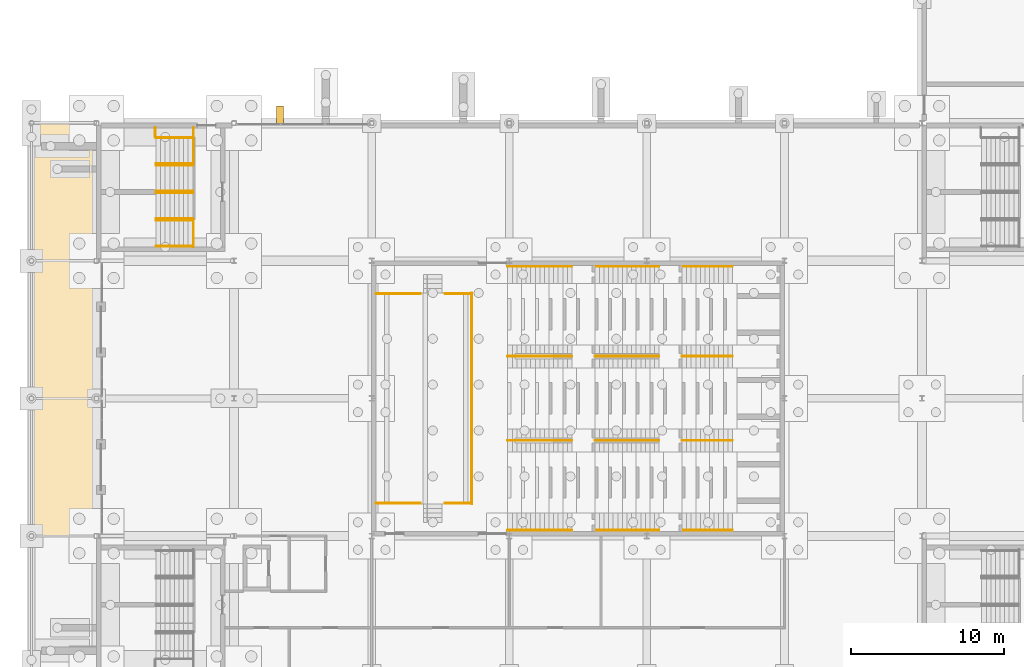
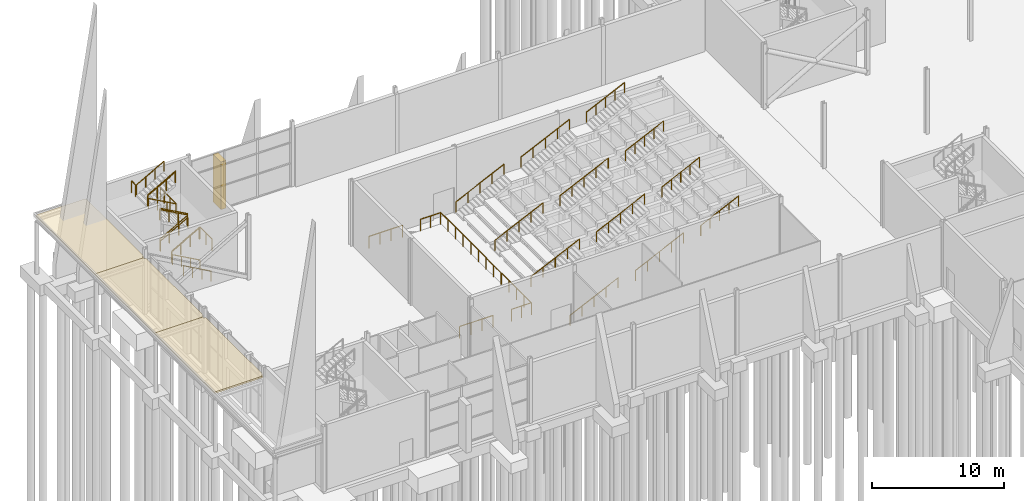
# One storey, part 134 of 139: 33 railings, 3 coverings, 1 shading device.
"""IFC4 building model written with IfcOpenShell, lengths in metres."""

from ifc_helpers import new_model, si_unit, direction, frame, origin, origin_2d, place, context, subcontext, project, spatial, polyline, rectangle, circle, outline, extrude, material, layer, layer_set, type_object, element, save


model = new_model("IFC4")

# Units and contexts
model_context = context("Model", 3, precision=1e-05, world=origin(), true_north=direction((0.0, 1.0)))
body_context = subcontext(model_context, "Body", "Model", "MODEL_VIEW")
ifc_project = project(units=[si_unit("LENGTHUNIT", "METRE"), si_unit("AREAUNIT", "SQUARE_METRE"), si_unit("VOLUMEUNIT", "CUBIC_METRE"), si_unit("PLANEANGLEUNIT", "RADIAN"), si_unit("MASSUNIT", "GRAM", prefix="KILO")], contexts=[model_context])

# Site, building, storey
site_placement = place(None, origin())
site = spatial("IfcSite", under=ifc_project, at=site_placement, CompositionType="ELEMENT")
building_placement = place(site_placement, origin())
building = spatial("IfcBuilding", under=site, at=building_placement, Name="Shorebreak Coast Museum", CompositionType="ELEMENT")
storey_placement = place(building_placement, origin())
storey = spatial("IfcBuildingStorey", under=building, at=storey_placement, Name="L00", CompositionType="ELEMENT", Elevation=0.0)

# Railings
ifc_material_1 = material(Name="Steel Grade 300", Category="steel")
railing_type_1 = type_object("IfcRailingType", Name="Aisle handrail 950", PredefinedType="HANDRAIL", material=ifc_material_1)
railing_1_placement = place(storey_placement, frame((26.89990234375, 63.3701171875, 0.142822265625)))
element("IfcRailing", 1, at=railing_1_placement, inside=storey, type_object=railing_type_1, Name="Handrail aisle 1 flight 1", PredefinedType="HANDRAIL", context=body_context, shape_type="SweptSolid", body=[
    extrude(circle(Radius=0.02490234375, at=origin_2d()), frame((0.0, 0.0, 0.9248046875), z_axis=(0.902868279141, 0.0, 0.429917283348), x_axis=(0.0, 1.0, 0.0)), (0.0, 0.0, 1.0), 4.652099609375),
    extrude(circle(Radius=0.02001953125, at=origin_2d()), origin(), (0.0, 0.0, 1.0), 0.89990234375),
    extrude(circle(Radius=0.02001953125, at=origin_2d()), frame((1.050048828125, 0.0, 0.5)), (0.0, 0.0, 1.0), 0.89990234375),
    extrude(circle(Radius=0.02001953125, at=origin_2d()), frame((2.10009765625, 0.0, 1.0)), (0.0, 0.0, 1.0), 0.89990234375),
    extrude(circle(Radius=0.02001953125, at=origin_2d()), frame((3.150146484375, 0.0, 1.5)), (0.0, 0.0, 1.0), 0.89990234375),
    extrude(circle(Radius=0.02001953125, at=origin_2d()), frame((4.2001953125, 0.0, 2.0)), (0.0, 0.0, 1.0), 0.89990234375),
])
railing_2_placement = place(storey_placement, frame((32.60009765625, 63.3701171875, 2.28564453125)))
element("IfcRailing", 2, at=railing_2_placement, inside=storey, type_object=railing_type_1, Name="Handrail aisle 1 flight 2", PredefinedType="HANDRAIL", context=body_context, shape_type="SweptSolid", body=[
    extrude(circle(Radius=0.02490234375, at=origin_2d()), frame((0.0, 0.0, 0.9248046875), z_axis=(0.902858578607, 0.0, 0.429937654825), x_axis=(0.0, 1.0, 0.0)), (0.0, 0.0, 1.0), 4.65185546875),
    extrude(circle(Radius=0.02001953125, at=origin_2d()), origin(), (0.0, 0.0, 1.0), 0.89990234375),
    extrude(circle(Radius=0.02001953125, at=origin_2d()), frame((1.050048828125, 0.0, 0.5)), (0.0, 0.0, 1.0), 0.89990234375),
    extrude(circle(Radius=0.02001953125, at=origin_2d()), frame((2.10009765625, 0.0, 1.0)), (0.0, 0.0, 1.0), 0.89990234375),
    extrude(circle(Radius=0.02001953125, at=origin_2d()), frame((3.14990234375, 0.0, 1.5)), (0.0, 0.0, 1.0), 0.89990234375),
    extrude(circle(Radius=0.02001953125, at=origin_2d()), frame((4.199951171875, 0.0, 2.0)), (0.0, 0.0, 1.0), 0.89990234375),
])
railing_3_placement = place(storey_placement, frame((38.300048828125, 63.3701171875, 4.4287109375)))
element("IfcRailing", 3, at=railing_3_placement, inside=storey, type_object=railing_type_1, Name="Handrail aisle 1 flight 3", PredefinedType="HANDRAIL", context=body_context, shape_type="SweptSolid", body=[
    extrude(circle(Radius=0.02490234375, at=origin_2d()), frame((0.0, 0.0, 0.9248046875), z_axis=(0.902877803494, 0.0, 0.429897280705), x_axis=(0.0, 1.0, 0.0)), (0.0, 0.0, 1.0), 3.655029296875),
    extrude(circle(Radius=0.02001953125, at=origin_2d()), origin(), (0.0, 0.0, 1.0), 0.89990234375),
    extrude(circle(Radius=0.02001953125, at=origin_2d()), frame((0.824951171875, 0.0, 0.392822265625)), (0.0, 0.0, 1.0), 0.89990234375),
    extrude(circle(Radius=0.02001953125, at=origin_2d()), frame((1.64990234375, 0.0, 0.78564453125)), (0.0, 0.0, 1.0), 0.89990234375),
    extrude(circle(Radius=0.02001953125, at=origin_2d()), frame((2.47509765625, 0.0, 1.178466796875)), (0.0, 0.0, 1.0), 0.89990234375),
    extrude(circle(Radius=0.02001953125, at=origin_2d()), frame((3.300048828125, 0.0, 1.5712890625)), (0.0, 0.0, 1.0), 0.89990234375),
])
railing_4_placement = place(storey_placement, frame((26.89990234375, 69.25, 0.142822265625)))
element("IfcRailing", 4, at=railing_4_placement, inside=storey, type_object=railing_type_1, Name="Handrail aisle 2 flight 1", PredefinedType="HANDRAIL", context=body_context, shape_type="SweptSolid", body=[
    extrude(circle(Radius=0.02490234375, at=origin_2d()), frame((0.0, 0.0, 0.9248046875), z_axis=(0.902868279141, 0.0, 0.429917283348), x_axis=(0.0, 1.0, 0.0)), (0.0, 0.0, 1.0), 4.652099609375),
    extrude(circle(Radius=0.02001953125, at=origin_2d()), origin(), (0.0, 0.0, 1.0), 0.89990234375),
    extrude(circle(Radius=0.02001953125, at=origin_2d()), frame((1.050048828125, 0.0, 0.5)), (0.0, 0.0, 1.0), 0.89990234375),
    extrude(circle(Radius=0.02001953125, at=origin_2d()), frame((2.10009765625, 0.0, 1.0)), (0.0, 0.0, 1.0), 0.89990234375),
    extrude(circle(Radius=0.02001953125, at=origin_2d()), frame((3.150146484375, 0.0, 1.5)), (0.0, 0.0, 1.0), 0.89990234375),
    extrude(circle(Radius=0.02001953125, at=origin_2d()), frame((4.2001953125, 0.0, 2.0)), (0.0, 0.0, 1.0), 0.89990234375),
])
railing_5_placement = place(storey_placement, frame((32.60009765625, 69.25, 2.28564453125)))
element("IfcRailing", 5, at=railing_5_placement, inside=storey, type_object=railing_type_1, Name="Handrail aisle 2 flight 2", PredefinedType="HANDRAIL", context=body_context, shape_type="SweptSolid", body=[
    extrude(circle(Radius=0.02490234375, at=origin_2d()), frame((0.0, 0.0, 0.9248046875), z_axis=(0.902858578607, 0.0, 0.429937654825), x_axis=(0.0, 1.0, 0.0)), (0.0, 0.0, 1.0), 4.65185546875),
    extrude(circle(Radius=0.02001953125, at=origin_2d()), origin(), (0.0, 0.0, 1.0), 0.89990234375),
    extrude(circle(Radius=0.02001953125, at=origin_2d()), frame((1.050048828125, 0.0, 0.5)), (0.0, 0.0, 1.0), 0.89990234375),
    extrude(circle(Radius=0.02001953125, at=origin_2d()), frame((2.10009765625, 0.0, 1.0)), (0.0, 0.0, 1.0), 0.89990234375),
    extrude(circle(Radius=0.02001953125, at=origin_2d()), frame((3.14990234375, 0.0, 1.5)), (0.0, 0.0, 1.0), 0.89990234375),
    extrude(circle(Radius=0.02001953125, at=origin_2d()), frame((4.199951171875, 0.0, 2.0)), (0.0, 0.0, 1.0), 0.89990234375),
])
railing_6_placement = place(storey_placement, frame((38.300048828125, 69.25, 4.4287109375)))
element("IfcRailing", 6, at=railing_6_placement, inside=storey, type_object=railing_type_1, Name="Handrail aisle 2 flight 3", PredefinedType="HANDRAIL", context=body_context, shape_type="SweptSolid", body=[
    extrude(circle(Radius=0.02490234375, at=origin_2d()), frame((0.0, 0.0, 0.9248046875), z_axis=(0.902877803494, 0.0, 0.429897280705), x_axis=(0.0, 1.0, 0.0)), (0.0, 0.0, 1.0), 3.655029296875),
    extrude(circle(Radius=0.02001953125, at=origin_2d()), origin(), (0.0, 0.0, 1.0), 0.89990234375),
    extrude(circle(Radius=0.02001953125, at=origin_2d()), frame((0.824951171875, 0.0, 0.392822265625)), (0.0, 0.0, 1.0), 0.89990234375),
    extrude(circle(Radius=0.02001953125, at=origin_2d()), frame((1.64990234375, 0.0, 0.78564453125)), (0.0, 0.0, 1.0), 0.89990234375),
    extrude(circle(Radius=0.02001953125, at=origin_2d()), frame((2.47509765625, 0.0, 1.178466796875)), (0.0, 0.0, 1.0), 0.89990234375),
    extrude(circle(Radius=0.02001953125, at=origin_2d()), frame((3.300048828125, 0.0, 1.5712890625)), (0.0, 0.0, 1.0), 0.89990234375),
])
railing_7_placement = place(storey_placement, frame((26.89990234375, 74.75, 0.142822265625)))
element("IfcRailing", 7, at=railing_7_placement, inside=storey, type_object=railing_type_1, Name="Handrail aisle 3 flight 1", PredefinedType="HANDRAIL", context=body_context, shape_type="SweptSolid", body=[
    extrude(circle(Radius=0.02490234375, at=origin_2d()), frame((0.0, 0.0, 0.9248046875), z_axis=(0.902868279141, 0.0, 0.429917283348), x_axis=(0.0, 1.0, 0.0)), (0.0, 0.0, 1.0), 4.652099609375),
    extrude(circle(Radius=0.02001953125, at=origin_2d()), origin(), (0.0, 0.0, 1.0), 0.89990234375),
    extrude(circle(Radius=0.02001953125, at=origin_2d()), frame((1.050048828125, 0.0, 0.5)), (0.0, 0.0, 1.0), 0.89990234375),
    extrude(circle(Radius=0.02001953125, at=origin_2d()), frame((2.10009765625, 0.0, 1.0)), (0.0, 0.0, 1.0), 0.89990234375),
    extrude(circle(Radius=0.02001953125, at=origin_2d()), frame((3.150146484375, 0.0, 1.5)), (0.0, 0.0, 1.0), 0.89990234375),
    extrude(circle(Radius=0.02001953125, at=origin_2d()), frame((4.2001953125, 0.0, 2.0)), (0.0, 0.0, 1.0), 0.89990234375),
])
railing_8_placement = place(storey_placement, frame((32.60009765625, 74.75, 2.28564453125)))
element("IfcRailing", 8, at=railing_8_placement, inside=storey, type_object=railing_type_1, Name="Handrail aisle 3 flight 2", PredefinedType="HANDRAIL", context=body_context, shape_type="SweptSolid", body=[
    extrude(circle(Radius=0.02490234375, at=origin_2d()), frame((0.0, 0.0, 0.9248046875), z_axis=(0.902858578607, 0.0, 0.429937654825), x_axis=(0.0, 1.0, 0.0)), (0.0, 0.0, 1.0), 4.65185546875),
    extrude(circle(Radius=0.02001953125, at=origin_2d()), origin(), (0.0, 0.0, 1.0), 0.89990234375),
    extrude(circle(Radius=0.02001953125, at=origin_2d()), frame((1.050048828125, 0.0, 0.5)), (0.0, 0.0, 1.0), 0.89990234375),
    extrude(circle(Radius=0.02001953125, at=origin_2d()), frame((2.10009765625, 0.0, 1.0)), (0.0, 0.0, 1.0), 0.89990234375),
    extrude(circle(Radius=0.02001953125, at=origin_2d()), frame((3.14990234375, 0.0, 1.5)), (0.0, 0.0, 1.0), 0.89990234375),
    extrude(circle(Radius=0.02001953125, at=origin_2d()), frame((4.199951171875, 0.0, 2.0)), (0.0, 0.0, 1.0), 0.89990234375),
])
railing_9_placement = place(storey_placement, frame((38.300048828125, 74.75, 4.4287109375)))
element("IfcRailing", 9, at=railing_9_placement, inside=storey, type_object=railing_type_1, Name="Handrail aisle 3 flight 3", PredefinedType="HANDRAIL", context=body_context, shape_type="SweptSolid", body=[
    extrude(circle(Radius=0.02490234375, at=origin_2d()), frame((0.0, 0.0, 0.9248046875), z_axis=(0.902877803494, 0.0, 0.429897280705), x_axis=(0.0, 1.0, 0.0)), (0.0, 0.0, 1.0), 3.655029296875),
    extrude(circle(Radius=0.02001953125, at=origin_2d()), origin(), (0.0, 0.0, 1.0), 0.89990234375),
    extrude(circle(Radius=0.02001953125, at=origin_2d()), frame((0.824951171875, 0.0, 0.392822265625)), (0.0, 0.0, 1.0), 0.89990234375),
    extrude(circle(Radius=0.02001953125, at=origin_2d()), frame((1.64990234375, 0.0, 0.78564453125)), (0.0, 0.0, 1.0), 0.89990234375),
    extrude(circle(Radius=0.02001953125, at=origin_2d()), frame((2.47509765625, 0.0, 1.178466796875)), (0.0, 0.0, 1.0), 0.89990234375),
    extrude(circle(Radius=0.02001953125, at=origin_2d()), frame((3.300048828125, 0.0, 1.5712890625)), (0.0, 0.0, 1.0), 0.89990234375),
])
railing_10_placement = place(storey_placement, frame((26.89990234375, 80.6298828125, 0.142822265625)))
element("IfcRailing", 10, at=railing_10_placement, inside=storey, type_object=railing_type_1, Name="Handrail aisle 4 flight 1", PredefinedType="HANDRAIL", context=body_context, shape_type="SweptSolid", body=[
    extrude(circle(Radius=0.02490234375, at=origin_2d()), frame((0.0, 0.0, 0.9248046875), z_axis=(0.902868279141, 0.0, 0.429917283348), x_axis=(0.0, 1.0, 0.0)), (0.0, 0.0, 1.0), 4.652099609375),
    extrude(circle(Radius=0.02001953125, at=origin_2d()), origin(), (0.0, 0.0, 1.0), 0.89990234375),
    extrude(circle(Radius=0.02001953125, at=origin_2d()), frame((1.050048828125, 0.0, 0.5)), (0.0, 0.0, 1.0), 0.89990234375),
    extrude(circle(Radius=0.02001953125, at=origin_2d()), frame((2.10009765625, 0.0, 1.0)), (0.0, 0.0, 1.0), 0.89990234375),
    extrude(circle(Radius=0.02001953125, at=origin_2d()), frame((3.150146484375, 0.0, 1.5)), (0.0, 0.0, 1.0), 0.89990234375),
    extrude(circle(Radius=0.02001953125, at=origin_2d()), frame((4.2001953125, 0.0, 2.0)), (0.0, 0.0, 1.0), 0.89990234375),
])
railing_11_placement = place(storey_placement, frame((32.60009765625, 80.6298828125, 2.28564453125)))
element("IfcRailing", 11, at=railing_11_placement, inside=storey, type_object=railing_type_1, Name="Handrail aisle 4 flight 2", PredefinedType="HANDRAIL", context=body_context, shape_type="SweptSolid", body=[
    extrude(circle(Radius=0.02490234375, at=origin_2d()), frame((0.0, 0.0, 0.9248046875), z_axis=(0.902858578607, 0.0, 0.429937654825), x_axis=(0.0, 1.0, 0.0)), (0.0, 0.0, 1.0), 4.65185546875),
    extrude(circle(Radius=0.02001953125, at=origin_2d()), origin(), (0.0, 0.0, 1.0), 0.89990234375),
    extrude(circle(Radius=0.02001953125, at=origin_2d()), frame((1.050048828125, 0.0, 0.5)), (0.0, 0.0, 1.0), 0.89990234375),
    extrude(circle(Radius=0.02001953125, at=origin_2d()), frame((2.10009765625, 0.0, 1.0)), (0.0, 0.0, 1.0), 0.89990234375),
    extrude(circle(Radius=0.02001953125, at=origin_2d()), frame((3.14990234375, 0.0, 1.5)), (0.0, 0.0, 1.0), 0.89990234375),
    extrude(circle(Radius=0.02001953125, at=origin_2d()), frame((4.199951171875, 0.0, 2.0)), (0.0, 0.0, 1.0), 0.89990234375),
])
railing_12_placement = place(storey_placement, frame((38.300048828125, 80.6298828125, 4.4287109375)))
element("IfcRailing", 12, at=railing_12_placement, inside=storey, type_object=railing_type_1, Name="Handrail aisle 4 flight 3", PredefinedType="HANDRAIL", context=body_context, shape_type="SweptSolid", body=[
    extrude(circle(Radius=0.02490234375, at=origin_2d()), frame((0.0, 0.0, 0.9248046875), z_axis=(0.902877803494, 0.0, 0.429897280705), x_axis=(0.0, 1.0, 0.0)), (0.0, 0.0, 1.0), 3.655029296875),
    extrude(circle(Radius=0.02001953125, at=origin_2d()), origin(), (0.0, 0.0, 1.0), 0.89990234375),
    extrude(circle(Radius=0.02001953125, at=origin_2d()), frame((0.824951171875, 0.0, 0.392822265625)), (0.0, 0.0, 1.0), 0.89990234375),
    extrude(circle(Radius=0.02001953125, at=origin_2d()), frame((1.64990234375, 0.0, 0.78564453125)), (0.0, 0.0, 1.0), 0.89990234375),
    extrude(circle(Radius=0.02001953125, at=origin_2d()), frame((2.47509765625, 0.0, 1.178466796875)), (0.0, 0.0, 1.0), 0.89990234375),
    extrude(circle(Radius=0.02001953125, at=origin_2d()), frame((3.300048828125, 0.0, 1.5712890625)), (0.0, 0.0, 1.0), 0.89990234375),
])
ifc_material_2 = material(Name="Steel Grade 300", Category="steel")
railing_type_2 = type_object("IfcRailingType", Name="Auditorium guard 1100", PredefinedType="GUARDRAIL", material=ifc_material_2)
railing_13_placement = place(storey_placement, frame((24.550048828125, 65.10009765625, 0.89990234375)))
element("IfcRailing", 13, at=railing_13_placement, inside=storey, type_object=railing_type_2, Name="Guard stage front", PredefinedType="GUARDRAIL", context=body_context, shape_type="SweptSolid", body=[
    extrude(circle(Radius=0.02490234375, at=origin_2d()), frame((0.0, 0.0, 1.0751953125), z_axis=(0.0, 1.0, 0.0), x_axis=(-1.0, 0.0, 0.0)), (0.0, 0.0, 1.0), 13.7998046875),
    extrude(circle(Radius=0.02001953125, at=origin_2d()), origin(), (0.0, 0.0, 1.0), 1.050048828125),
    extrude(circle(Radius=0.02001953125, at=origin_2d()), frame((0.0, 1.14990234375, 0.0)), (0.0, 0.0, 1.0), 1.050048828125),
    extrude(circle(Radius=0.02001953125, at=origin_2d()), frame((0.0, 2.300048828125, 0.0)), (0.0, 0.0, 1.0), 1.050048828125),
    extrude(circle(Radius=0.02001953125, at=origin_2d()), frame((0.0, 3.449951171875, 0.0)), (0.0, 0.0, 1.0), 1.050048828125),
    extrude(circle(Radius=0.02001953125, at=origin_2d()), frame((0.0, 4.599853515625, 0.0)), (0.0, 0.0, 1.0), 1.050048828125),
    extrude(circle(Radius=0.02001953125, at=origin_2d()), frame((0.0, 5.75, 0.0)), (0.0, 0.0, 1.0), 1.050048828125),
    extrude(circle(Radius=0.02001953125, at=origin_2d()), frame((0.0, 6.89990234375, 0.0)), (0.0, 0.0, 1.0), 1.050048828125),
    extrude(circle(Radius=0.02001953125, at=origin_2d()), frame((0.0, 8.0498046875, 0.0)), (0.0, 0.0, 1.0), 1.050048828125),
    extrude(circle(Radius=0.02001953125, at=origin_2d()), frame((0.0, 9.199951171875, 0.0)), (0.0, 0.0, 1.0), 1.050048828125),
    extrude(circle(Radius=0.02001953125, at=origin_2d()), frame((0.0, 10.349853515625, 0.0)), (0.0, 0.0, 1.0), 1.050048828125),
    extrude(circle(Radius=0.02001953125, at=origin_2d()), frame((0.0, 11.499755859375, 0.0)), (0.0, 0.0, 1.0), 1.050048828125),
    extrude(circle(Radius=0.02001953125, at=origin_2d()), frame((0.0, 12.64990234375, 0.0)), (0.0, 0.0, 1.0), 1.050048828125),
    extrude(circle(Radius=0.02001953125, at=origin_2d()), frame((0.0, 13.7998046875, 0.0)), (0.0, 0.0, 1.0), 1.050048828125),
])
railing_14_placement = place(storey_placement, frame((18.300048828125, 65.14990234375, 0.89990234375)))
element("IfcRailing", 14, at=railing_14_placement, inside=storey, type_object=railing_type_2, Name="Guard stage side S", PredefinedType="GUARDRAIL", context=body_context, shape_type="SweptSolid", body=[
    extrude(circle(Radius=0.02490234375, at=origin_2d()), frame((0.0, 0.0, 1.0751953125), z_axis=(1.0, 0.0, 0.0), x_axis=(0.0, 1.0, 0.0)), (0.0, 0.0, 1.0), 2.89990234375),
    extrude(circle(Radius=0.02001953125, at=origin_2d()), origin(), (0.0, 0.0, 1.0), 1.050048828125),
    extrude(circle(Radius=0.02001953125, at=origin_2d()), frame((0.966552734375, 0.0, 0.0)), (0.0, 0.0, 1.0), 1.050048828125),
    extrude(circle(Radius=0.02001953125, at=origin_2d()), frame((1.933349609375, 0.0, 0.0)), (0.0, 0.0, 1.0), 1.050048828125),
    extrude(circle(Radius=0.02001953125, at=origin_2d()), frame((2.89990234375, 0.0, 0.0)), (0.0, 0.0, 1.0), 1.050048828125),
])
railing_15_placement = place(storey_placement, frame((22.800048828125, 65.14990234375, 0.89990234375)))
element("IfcRailing", 15, at=railing_15_placement, inside=storey, type_object=railing_type_2, Name="Guard stage side S", PredefinedType="GUARDRAIL", context=body_context, shape_type="SweptSolid", body=[
    extrude(circle(Radius=0.02490234375, at=origin_2d()), frame((0.0, 0.0, 1.0751953125), z_axis=(1.0, 0.0, 0.0), x_axis=(0.0, 1.0, 0.0)), (0.0, 0.0, 1.0), 1.75),
    extrude(circle(Radius=0.02001953125, at=origin_2d()), origin(), (0.0, 0.0, 1.0), 1.050048828125),
    extrude(circle(Radius=0.02001953125, at=origin_2d()), frame((0.875, 0.0, 0.0)), (0.0, 0.0, 1.0), 1.050048828125),
    extrude(circle(Radius=0.02001953125, at=origin_2d()), frame((1.75, 0.0, 0.0)), (0.0, 0.0, 1.0), 1.050048828125),
])
railing_16_placement = place(storey_placement, frame((18.300048828125, 78.85009765625, 0.89990234375)))
element("IfcRailing", 16, at=railing_16_placement, inside=storey, type_object=railing_type_2, Name="Guard stage side N", PredefinedType="GUARDRAIL", context=body_context, shape_type="SweptSolid", body=[
    extrude(circle(Radius=0.02490234375, at=origin_2d()), frame((0.0, 0.0, 1.0751953125), z_axis=(1.0, 0.0, 0.0), x_axis=(0.0, 1.0, 0.0)), (0.0, 0.0, 1.0), 2.89990234375),
    extrude(circle(Radius=0.02001953125, at=origin_2d()), origin(), (0.0, 0.0, 1.0), 1.050048828125),
    extrude(circle(Radius=0.02001953125, at=origin_2d()), frame((0.966552734375, 0.0, 0.0)), (0.0, 0.0, 1.0), 1.050048828125),
    extrude(circle(Radius=0.02001953125, at=origin_2d()), frame((1.933349609375, 0.0, 0.0)), (0.0, 0.0, 1.0), 1.050048828125),
    extrude(circle(Radius=0.02001953125, at=origin_2d()), frame((2.89990234375, 0.0, 0.0)), (0.0, 0.0, 1.0), 1.050048828125),
])
railing_17_placement = place(storey_placement, frame((22.800048828125, 78.85009765625, 0.89990234375)))
element("IfcRailing", 17, at=railing_17_placement, inside=storey, type_object=railing_type_2, Name="Guard stage side N", PredefinedType="GUARDRAIL", context=body_context, shape_type="SweptSolid", body=[
    extrude(circle(Radius=0.02490234375, at=origin_2d()), frame((0.0, 0.0, 1.0751953125), z_axis=(1.0, 0.0, 0.0), x_axis=(0.0, 1.0, 0.0)), (0.0, 0.0, 1.0), 1.75),
    extrude(circle(Radius=0.02001953125, at=origin_2d()), origin(), (0.0, 0.0, 1.0), 1.050048828125),
    extrude(circle(Radius=0.02001953125, at=origin_2d()), frame((0.875, 0.0, 0.0)), (0.0, 0.0, 1.0), 1.050048828125),
    extrude(circle(Radius=0.02001953125, at=origin_2d()), frame((1.75, 0.0, 0.0)), (0.0, 0.0, 1.0), 1.050048828125),
])

# Coverings
ifc_material_3 = material(Name="Growing medium")
ifc_layer_1 = layer(ifc_material_3, 0.14990234375)
ifc_layer_set_1 = layer_set([ifc_layer_1], Name="Growing medium")
covering_type = type_object("IfcCoveringType", Name="Green roof planting 150", PredefinedType="ROOFING", material=ifc_layer_set_1)
covering_1_placement = place(storey_placement, frame((0.0, 0.0, 5.0)))
element("IfcCovering", 18, at=covering_1_placement, inside=storey, type_object=covering_type, Name="Green roof planting arcade west 2", PredefinedType="ROOFING", context=body_context, shape_type="SweptSolid", body=[
    extrude(outline(polyline([(-4.35009765625, 63.0), (-4.35009765625, 72.0), (-0.14990234375, 72.0), (-0.14990234375, 71.85009765625), (0.0, 71.85009765625), (0.0, 63.14990234375), (-0.14990234375, 63.14990234375), (-0.14990234375, 63.0), (-4.35009765625, 63.0)])), origin(), (0.0, 0.0, 1.0), 0.14990234375),
])
covering_2_placement = place(storey_placement, frame((0.0, 0.0, 5.0)))
element("IfcCovering", 19, at=covering_2_placement, inside=storey, type_object=covering_type, Name="Green roof planting arcade west 3", PredefinedType="ROOFING", context=body_context, shape_type="SweptSolid", body=[
    extrude(outline(polyline([(-4.35009765625, 72.0), (-4.35009765625, 81.0), (-0.14990234375, 81.0), (-0.14990234375, 80.85009765625), (0.0, 80.85009765625), (0.0, 72.14990234375), (-0.14990234375, 72.14990234375), (-0.14990234375, 72.0), (-4.35009765625, 72.0)])), origin(), (0.0, 0.0, 1.0), 0.14990234375),
])
covering_3_placement = place(storey_placement, frame((0.0, 0.0, 5.0)))
element("IfcCovering", 20, at=covering_3_placement, inside=storey, type_object=covering_type, Name="Green roof planting arcade west 4", PredefinedType="ROOFING", context=body_context, shape_type="SweptSolid", body=[
    extrude(outline(polyline([(-4.35009765625, 81.0), (-4.35009765625, 89.949951171875), (-0.14990234375, 89.949951171875), (-0.14990234375, 89.85009765625), (0.0, 89.85009765625), (0.0, 81.14990234375), (-0.14990234375, 81.14990234375), (-0.14990234375, 81.0), (-4.35009765625, 81.0)])), origin(), (0.0, 0.0, 1.0), 0.14990234375),
])

# Shading device
ifc_material_4 = material(Name="Precast concrete C40/50", Category="concrete")
ifc_layer_2 = layer(ifc_material_4, 0.449951171875)
ifc_layer_set_2 = layer_set([ifc_layer_2], Name="Precast concrete C40/50")
shading_device_type = type_object("IfcShadingDeviceType", Name="Precast blade 450 x 1200", PredefinedType="USERDEFINED", material=ifc_layer_set_2)
shading_device_placement = place(storey_placement, frame((12.0, 90.52490234375, 0.0), z_axis=(0.0, 0.0, 1.0), x_axis=(1.0, 0.0, 0.0)))
element("IfcShadingDevice", 21, at=shading_device_placement, inside=storey, type_object=shading_device_type, Name="Precast blade N1", ObjectType="FIN", PredefinedType="USERDEFINED", context=body_context, shape_type="SweptSolid", body=[
    extrude(rectangle(XDim=0.449951171875, YDim=1.199951171875, at=origin_2d()), origin(), (0.0, 0.0, 1.0), 4.39990234375),
])

# Railings
ifc_material_5 = material(Name="Steel Grade 300", Category="steel")
railing_type_3 = type_object("IfcRailingType", Name="Stair guard 1100", PredefinedType="GUARDRAIL", material=ifc_material_5)
for number, where, name in (
    (22, (6.35009765625, 81.89990234375, 3.0), "Guard ST06 L00 landing mid1"),
    (23, (6.35009765625, 87.300048828125, 3.0), "Guard ST06 L00 landing mid1"),
):
    element("IfcRailing", number, at=place(storey_placement, frame(where)), inside=storey, type_object=railing_type_3, Name=name, PredefinedType="GUARDRAIL", context=body_context, shape_type="SweptSolid", body=[
        extrude(circle(Radius=0.02490234375, at=origin_2d()), frame((0.0, 0.0, 1.0751953125), z_axis=(0.0, 1.0, 0.0), x_axis=(-1.0, 0.0, 0.0)), (0.0, 0.0, 1.0), 1.800048828125),
        extrude(circle(Radius=0.02001953125, at=origin_2d()), origin(), (0.0, 0.0, 1.0), 1.050048828125),
        extrude(circle(Radius=0.02001953125, at=origin_2d()), frame((0.0, 0.89990234375, 0.0)), (0.0, 0.0, 1.0), 1.050048828125),
        extrude(circle(Radius=0.02001953125, at=origin_2d()), frame((0.0, 1.800048828125, 0.0)), (0.0, 0.0, 1.0), 1.050048828125),
    ])
for number, where, name in (
    (24, (6.35009765625, 89.10009765625, 3.0), "Guard ST06 L00 landing strip"),
    (25, (3.85009765625, 89.10009765625, 4.5), "Guard ST06 L00 landing strip"),
):
    element("IfcRailing", number, at=place(storey_placement, frame(where)), inside=storey, type_object=railing_type_3, Name=name, PredefinedType="GUARDRAIL", context=body_context, shape_type="SweptSolid", body=[
        extrude(circle(Radius=0.02490234375, at=origin_2d()), frame((0.0, 0.0, 1.0751953125), z_axis=(0.0, 1.0, 0.0), x_axis=(-1.0, 0.0, 0.0)), (0.0, 0.0, 1.0), 0.599853515625),
        extrude(circle(Radius=0.02001953125, at=origin_2d()), origin(), (0.0, 0.0, 1.0), 1.050048828125),
        extrude(circle(Radius=0.02001953125, at=origin_2d()), frame((0.0, 0.599853515625, 0.0)), (0.0, 0.0, 1.0), 1.050048828125),
    ])
for number, where, name in (
    (26, (3.89990234375, 83.699951171875, 1.666748046875), "Guard ST06-L00 well 1"),
    (27, (3.89990234375, 87.300048828125, 4.666748046875), "Guard ST06-L00 well 2"),
    (28, (3.89990234375, 85.5, 1.666748046875), "Guard ST06-L00 side 1"),
):
    element("IfcRailing", number, at=place(storey_placement, frame(where)), inside=storey, type_object=railing_type_3, Name=name, PredefinedType="GUARDRAIL", context=body_context, shape_type="SweptSolid", body=[
        extrude(circle(Radius=0.02490234375, at=origin_2d()), frame((0.0, 0.0, 1.0751953125), z_axis=(0.874182441271, 0.0, 0.485597631145), x_axis=(0.0, 1.0, 0.0)), (0.0, 0.0, 1.0), 2.74560546875),
        extrude(circle(Radius=0.02001953125, at=origin_2d()), origin(), (0.0, 0.0, 1.0), 1.050048828125),
        extrude(circle(Radius=0.02001953125, at=origin_2d()), frame((0.800048828125, 0.0, 0.4443359375)), (0.0, 0.0, 1.0), 1.050048828125),
        extrude(circle(Radius=0.02001953125, at=origin_2d()), frame((1.60009765625, 0.0, 0.888916015625)), (0.0, 0.0, 1.0), 1.050048828125),
        extrude(circle(Radius=0.02001953125, at=origin_2d()), frame((2.400146484375, 0.0, 1.333251953125)), (0.0, 0.0, 1.0), 1.050048828125),
    ])
railing_18_placement = place(storey_placement, frame((6.300048828125, 85.5, 3.166748046875)))
element("IfcRailing", 29, at=railing_18_placement, inside=storey, type_object=railing_type_3, Name="Guard ST06-L00 side 2", PredefinedType="GUARDRAIL", context=body_context, shape_type="SweptSolid", body=[
    extrude(circle(Radius=0.02490234375, at=origin_2d()), frame((0.0, 0.0, 1.0751953125), z_axis=(-0.874182441271, 0.0, 0.485597631145), x_axis=(0.0, -1.0, 0.0)), (0.0, 0.0, 1.0), 2.74560546875),
    extrude(circle(Radius=0.02001953125, at=origin_2d()), origin(), (0.0, 0.0, 1.0), 1.050048828125),
    extrude(circle(Radius=0.02001953125, at=origin_2d()), frame((-0.800048828125, 0.0, 0.4443359375)), (0.0, 0.0, 1.0), 1.050048828125),
    extrude(circle(Radius=0.02001953125, at=origin_2d()), frame((-1.60009765625, 0.0, 0.888916015625)), (0.0, 0.0, 1.0), 1.050048828125),
    extrude(circle(Radius=0.02001953125, at=origin_2d()), frame((-2.400146484375, 0.0, 1.333251953125)), (0.0, 0.0, 1.0), 1.050048828125),
])
ifc_material_6 = material(Name="Steel Grade 300", Category="steel")
railing_type_4 = type_object("IfcRailingType", Name="Stair handrail 950", PredefinedType="HANDRAIL", material=ifc_material_6)
for number, where, name in (
    (30, (6.300048828125, 81.9599609375, 0.166748046875), "Handrail ST06-L00 flight 1a"),
    (31, (6.300048828125, 83.639892578125, 0.166748046875), "Handrail ST06-L00 flight 1b"),
):
    element("IfcRailing", number, at=place(storey_placement, frame(where)), inside=storey, type_object=railing_type_4, Name=name, PredefinedType="HANDRAIL", context=body_context, shape_type="SweptSolid", body=[
        extrude(circle(Radius=0.02490234375, at=origin_2d()), frame((0.0, 0.0, 0.9248046875), z_axis=(-0.874182441271, 0.0, 0.485597631145), x_axis=(0.0, -1.0, 0.0)), (0.0, 0.0, 1.0), 2.74560546875),
        extrude(circle(Radius=0.02001953125, at=origin_2d()), origin(), (0.0, 0.0, 1.0), 0.89990234375),
        extrude(circle(Radius=0.02001953125, at=origin_2d()), frame((-0.800048828125, 0.0, 0.4443359375)), (0.0, 0.0, 1.0), 0.89990234375),
        extrude(circle(Radius=0.02001953125, at=origin_2d()), frame((-1.60009765625, 0.0, 0.888916015625)), (0.0, 0.0, 1.0), 0.89990234375),
        extrude(circle(Radius=0.02001953125, at=origin_2d()), frame((-2.400146484375, 0.0, 1.333251953125)), (0.0, 0.0, 1.0), 0.89990234375),
    ])
for number, where, name in (
    (32, (3.89990234375, 83.760009765625, 1.666748046875), "Handrail ST06-L00 flight 2a"),
    (33, (3.89990234375, 85.43994140625, 1.666748046875), "Handrail ST06-L00 flight 2b"),
):
    element("IfcRailing", number, at=place(storey_placement, frame(where)), inside=storey, type_object=railing_type_4, Name=name, PredefinedType="HANDRAIL", context=body_context, shape_type="SweptSolid", body=[
        extrude(circle(Radius=0.02490234375, at=origin_2d()), frame((0.0, 0.0, 0.9248046875), z_axis=(0.874182441271, 0.0, 0.485597631145), x_axis=(0.0, 1.0, 0.0)), (0.0, 0.0, 1.0), 2.74560546875),
        extrude(circle(Radius=0.02001953125, at=origin_2d()), origin(), (0.0, 0.0, 1.0), 0.89990234375),
        extrude(circle(Radius=0.02001953125, at=origin_2d()), frame((0.800048828125, 0.0, 0.4443359375)), (0.0, 0.0, 1.0), 0.89990234375),
        extrude(circle(Radius=0.02001953125, at=origin_2d()), frame((1.60009765625, 0.0, 0.888916015625)), (0.0, 0.0, 1.0), 0.89990234375),
        extrude(circle(Radius=0.02001953125, at=origin_2d()), frame((2.400146484375, 0.0, 1.333251953125)), (0.0, 0.0, 1.0), 0.89990234375),
    ])
for number, where, name in (
    (34, (6.300048828125, 85.56005859375, 3.166748046875), "Handrail ST06-L00 flight 3a"),
    (35, (6.300048828125, 87.239990234375, 3.166748046875), "Handrail ST06-L00 flight 3b"),
):
    element("IfcRailing", number, at=place(storey_placement, frame(where)), inside=storey, type_object=railing_type_4, Name=name, PredefinedType="HANDRAIL", context=body_context, shape_type="SweptSolid", body=[
        extrude(circle(Radius=0.02490234375, at=origin_2d()), frame((0.0, 0.0, 0.9248046875), z_axis=(-0.874182441271, 0.0, 0.485597631145), x_axis=(0.0, -1.0, 0.0)), (0.0, 0.0, 1.0), 2.74560546875),
        extrude(circle(Radius=0.02001953125, at=origin_2d()), origin(), (0.0, 0.0, 1.0), 0.89990234375),
        extrude(circle(Radius=0.02001953125, at=origin_2d()), frame((-0.800048828125, 0.0, 0.4443359375)), (0.0, 0.0, 1.0), 0.89990234375),
        extrude(circle(Radius=0.02001953125, at=origin_2d()), frame((-1.60009765625, 0.0, 0.888916015625)), (0.0, 0.0, 1.0), 0.89990234375),
        extrude(circle(Radius=0.02001953125, at=origin_2d()), frame((-2.400146484375, 0.0, 1.333251953125)), (0.0, 0.0, 1.0), 0.89990234375),
    ])
for number, where, name in (
    (36, (3.89990234375, 87.360107421875, 4.666748046875), "Handrail ST06-L00 flight 4a"),
    (37, (3.89990234375, 89.0400390625, 4.666748046875), "Handrail ST06-L00 flight 4b"),
):
    element("IfcRailing", number, at=place(storey_placement, frame(where)), inside=storey, type_object=railing_type_4, Name=name, PredefinedType="HANDRAIL", context=body_context, shape_type="SweptSolid", body=[
        extrude(circle(Radius=0.02490234375, at=origin_2d()), frame((0.0, 0.0, 0.9248046875), z_axis=(0.874182441271, 0.0, 0.485597631145), x_axis=(0.0, 1.0, 0.0)), (0.0, 0.0, 1.0), 2.74560546875),
        extrude(circle(Radius=0.02001953125, at=origin_2d()), origin(), (0.0, 0.0, 1.0), 0.89990234375),
        extrude(circle(Radius=0.02001953125, at=origin_2d()), frame((0.800048828125, 0.0, 0.4443359375)), (0.0, 0.0, 1.0), 0.89990234375),
        extrude(circle(Radius=0.02001953125, at=origin_2d()), frame((1.60009765625, 0.0, 0.888916015625)), (0.0, 0.0, 1.0), 0.89990234375),
        extrude(circle(Radius=0.02001953125, at=origin_2d()), frame((2.400146484375, 0.0, 1.333251953125)), (0.0, 0.0, 1.0), 0.89990234375),
    ])

save(model, "model.ifc")
